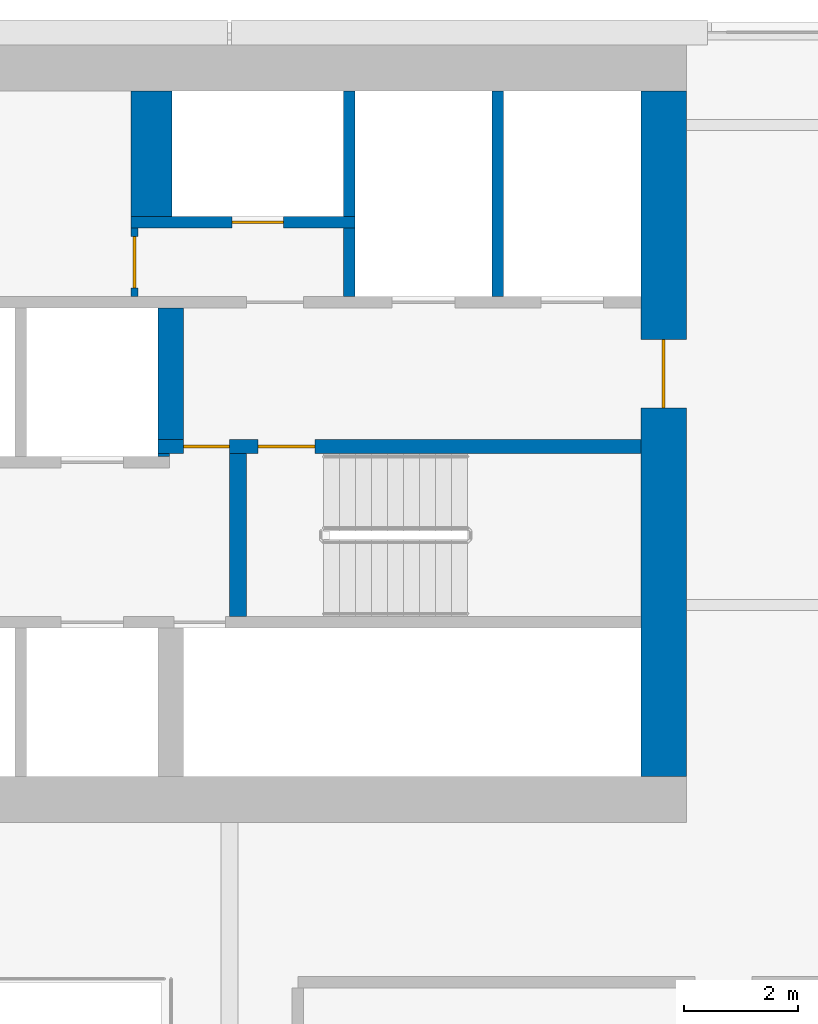
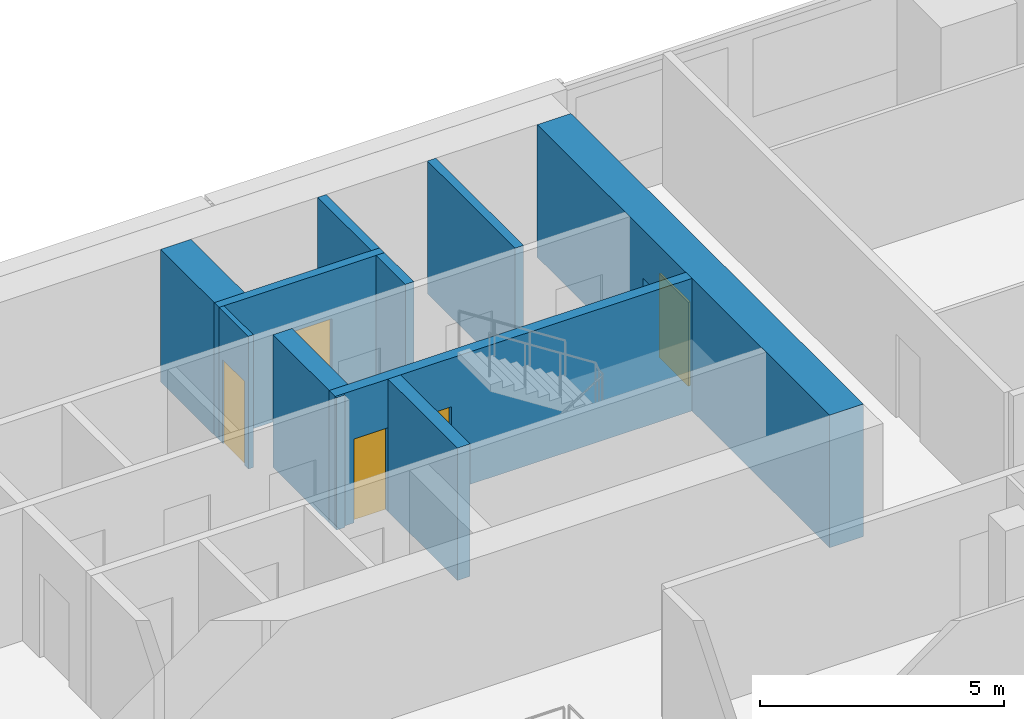
# One storey, part 21 of 29: 11 walls, 5 doors, 5 openings.
"""IFC4 building model written with IfcOpenShell, lengths in metres."""

from ifc_helpers import new_model, si_unit, direction, frame, frame_2d, origin, place, context, subcontext, project, spatial, rectangle, extrude, material, layer, layer_set, type_object, element, fill, save


model = new_model("IFC4")

# Units and contexts
model_context = context("Model", 3, precision=1e-05, world=origin(), true_north=direction((0.0, 1.0)))
body_context = subcontext(model_context, "Body", "Model", "MODEL_VIEW")
ifc_project = project(units=[si_unit("LENGTHUNIT", "METRE"), si_unit("AREAUNIT", "SQUARE_METRE"), si_unit("VOLUMEUNIT", "CUBIC_METRE"), si_unit("PLANEANGLEUNIT", "RADIAN"), si_unit("MASSUNIT", "GRAM", prefix="KILO")], contexts=[model_context])

# Site, building, storey
site_placement = place(None, origin())
site = spatial("IfcSite", under=ifc_project, at=site_placement, CompositionType="ELEMENT")
building_placement = place(site_placement, origin())
building = spatial("IfcBuilding", under=site, at=building_placement, Name="Saffron Gate Tower", CompositionType="ELEMENT")
storey_placement = place(building_placement, frame((0.0, 0.0, 187.050048828125)))
storey = spatial("IfcBuildingStorey", under=building, at=storey_placement, Name="L46", CompositionType="ELEMENT", Elevation=187.050048828125)

# Wall, opening, door
ifc_material_1 = material(Name="Concrete C60", Category="concrete")
ifc_layer_1 = layer(ifc_material_1, 0.800048828125)
ifc_layer_set_1 = layer_set([ifc_layer_1], Name="CW13 RC core wall 800 C60")
wall_type_1 = type_object("IfcWallType", Name="CW13 RC core wall 800 C60", PredefinedType="SOLIDWALL", material=ifc_layer_set_1)
wall_1_placement = place(storey_placement, frame((107.800048828125, 62.39990234375, 0.0), z_axis=(0.0, 0.0, 1.0), x_axis=(0.0, 1.0, 0.0)))
wall_1 = element("IfcWall", 1, at=wall_1_placement, inside=storey, type_object=wall_type_1, Name="Wall CW13-L46-4", PredefinedType="SOLIDWALL", context=body_context, shape_type="SweptSolid", body=[
    extrude(rectangle(XDim=12.0, YDim=0.800048828125, at=frame_2d((6.0, 0.0))), origin(), (0.0, 0.0, 1.0), 3.320068359375),
])
opening_1_placement = place(wall_1_placement, frame((6.449951171875, 0.0, 0.0)))
opening_1 = element("IfcOpeningElement", 2, at=opening_1_placement, cuts=wall_1, Name="Opening CR-08", PredefinedType="OPENING", context=body_context, shape_type="SweptSolid", body=[
    extrude(rectangle(XDim=1.199951171875, YDim=2.10009765625, at=frame_2d((0.60009765625, 1.050048828125))), frame((0.0, 0.41015625, 0.0), z_axis=(0.0, -1.0, 0.0), x_axis=(1.0, 0.0, 0.0)), (0.0, 0.0, 1.0), 0.820068359375),
])
ifc_material_2 = material(Name="Steel fire door set", Category="steel")
door_type_1 = type_object("IfcDoorType", Name="CD7 Core entrance door 1200x2100 EI 120", OperationType="NOTDEFINED", PredefinedType="DOOR", material=ifc_material_2)
door_1_placement = place(opening_1_placement, origin())
door_1 = element("IfcDoor", 3, at=door_1_placement, inside=storey, type_object=door_type_1, Name="DOOR CR-08", OperationType="SINGLE_SWING_RIGHT", OverallHeight=2.10009765625, OverallWidth=1.199951171875, PredefinedType="DOOR", context=body_context, shape_type="SweptSolid", body=[
    extrude(rectangle(XDim=1.199951171875, YDim=2.10009765625, at=frame_2d((0.60009765625, 1.050048828125))), frame((0.0, 0.02490234375, 0.0), z_axis=(0.0, -1.0, 0.0), x_axis=(1.0, 0.0, 0.0)), (0.0, 0.0, 1.0), 0.050048828125),
])
fill(opening_1, door_1)

# Wall, openings, doors
ifc_layer_2 = layer(ifc_material_1, 0.25)
ifc_layer_set_2 = layer_set([ifc_layer_2], Name="CW14 RC core wall 250 C60")
wall_type_2 = type_object("IfcWallType", Name="CW14 RC core wall 250 C60", PredefinedType="SOLIDWALL", material=ifc_layer_set_2)
wall_2_placement = place(storey_placement, frame((98.949951171875, 68.175048828125, 0.0), z_axis=(0.0, 0.0, 1.0), x_axis=(1.0, 0.0, 0.0)))
wall_2 = element("IfcWall", 4, at=wall_2_placement, inside=storey, type_object=wall_type_2, Name="Wall CW14-L46-30", PredefinedType="SOLIDWALL", context=body_context, shape_type="SweptSolid", body=[
    extrude(rectangle(XDim=8.449951171875, YDim=0.25, at=frame_2d((4.22509765625, 0.0))), origin(), (0.0, 0.0, 1.0), 3.320068359375),
])
opening_2_placement = place(wall_2_placement, frame((0.449951171875, 0.0, 0.0)))
opening_2 = element("IfcOpeningElement", 5, at=opening_2_placement, cuts=wall_2, Name="Opening CR-05", PredefinedType="OPENING", context=body_context, shape_type="SweptSolid", body=[
    extrude(rectangle(XDim=0.800048828125, YDim=2.10009765625, at=frame_2d((0.39990234375, 1.050048828125))), frame((0.0, 0.135009765625, 0.0), z_axis=(0.0, -1.0, 0.0), x_axis=(1.0, 0.0, 0.0)), (0.0, 0.0, 1.0), 0.27001953125),
])
opening_3_placement = place(wall_2_placement, frame((1.75, 0.0, 0.0)))
opening_3 = element("IfcOpeningElement", 6, at=opening_3_placement, cuts=wall_2, Name="Opening CR-16", PredefinedType="OPENING", context=body_context, shape_type="SweptSolid", body=[
    extrude(rectangle(XDim=1.0, YDim=2.10009765625, at=frame_2d((0.5, 1.050048828125))), frame((0.0, 0.135009765625, 0.0), z_axis=(0.0, -1.0, 0.0), x_axis=(1.0, 0.0, 0.0)), (0.0, 0.0, 1.0), 0.27001953125),
])
door_type_2 = type_object("IfcDoorType", Name="CD5 Stair door 1000x2100 EI 120", OperationType="NOTDEFINED", PredefinedType="DOOR", material=ifc_material_2)
door_2_placement = place(opening_3_placement, origin())
door_2 = element("IfcDoor", 7, at=door_2_placement, inside=storey, type_object=door_type_2, Name="DOOR CR-16", OperationType="SINGLE_SWING_RIGHT", OverallHeight=2.10009765625, OverallWidth=1.0, PredefinedType="DOOR", context=body_context, shape_type="SweptSolid", body=[
    extrude(rectangle(XDim=1.0, YDim=2.10009765625, at=frame_2d((0.5, 1.050048828125))), frame((0.0, 0.02490234375, 0.0), z_axis=(0.0, -1.0, 0.0), x_axis=(1.0, 0.0, 0.0)), (0.0, 0.0, 1.0), 0.050048828125),
])
fill(opening_3, door_2)
door_type_3 = type_object("IfcDoorType", Name="CD6 Lobby door 800x2100 EI 120", OperationType="NOTDEFINED", PredefinedType="DOOR", material=ifc_material_2)
door_3_placement = place(opening_2_placement, origin())
door_3 = element("IfcDoor", 8, at=door_3_placement, inside=storey, type_object=door_type_3, Name="DOOR CR-05", OperationType="SINGLE_SWING_LEFT", OverallHeight=2.10009765625, OverallWidth=0.800048828125, PredefinedType="DOOR", context=body_context, shape_type="SweptSolid", body=[
    extrude(rectangle(XDim=0.800048828125, YDim=2.10009765625, at=frame_2d((0.39990234375, 1.050048828125))), frame((0.0, 0.02490234375, 0.0), z_axis=(0.0, -1.0, 0.0), x_axis=(1.0, 0.0, 0.0)), (0.0, 0.0, 1.0), 0.050048828125),
])
fill(opening_2, door_3)

# Walls
ifc_layer_3 = layer(ifc_material_1, 0.199951171875)
ifc_layer_set_3 = layer_set([ifc_layer_3], Name="CW15 RC core wall 200 C60")
wall_type_3 = type_object("IfcWallType", Name="CW15 RC core wall 200 C60", PredefinedType="SOLIDWALL", material=ifc_layer_set_3)
wall_3_placement = place(storey_placement, frame((102.300048828125, 70.800048828125, 0.0), z_axis=(0.0, 0.0, 1.0), x_axis=(0.0, 1.0, 0.0)))
element("IfcWall", 9, at=wall_3_placement, inside=storey, type_object=wall_type_3, Name="Wall CW15-L46-40", PredefinedType="SOLIDWALL", context=body_context, shape_type="SweptSolid", body=[
    extrude(rectangle(XDim=1.199951171875, YDim=0.199951171875, at=frame_2d((0.60009765625, 0.0))), origin(), (0.0, 0.0, 1.0), 3.320068359375),
])
wall_4_placement = place(storey_placement, frame((104.89990234375, 70.800048828125, 0.0), z_axis=(0.0, 0.0, 1.0), x_axis=(0.0, 1.0, 0.0)))
element("IfcWall", 10, at=wall_4_placement, inside=storey, type_object=wall_type_3, Name="Wall CW15-L46-41", PredefinedType="SOLIDWALL", context=body_context, shape_type="SweptSolid", body=[
    extrude(rectangle(XDim=3.599853515625, YDim=0.199951171875, at=frame_2d((1.7998046875, 0.0))), origin(), (0.0, 0.0, 1.0), 3.320068359375),
])

# Wall, opening, door
wall_5_placement = place(storey_placement, frame((98.47998046875, 72.10009765625, 0.0), z_axis=(0.0, 0.0, 1.0), x_axis=(1.0, 0.0, 0.0)))
wall_5 = element("IfcWall", 11, at=wall_5_placement, inside=storey, type_object=wall_type_3, Name="Wall CW15-L46-43", PredefinedType="SOLIDWALL", context=body_context, shape_type="SweptSolid", body=[
    extrude(rectangle(XDim=3.919921875, YDim=0.199951171875, at=frame_2d((1.9599609375, 0.0))), origin(), (0.0, 0.0, 1.0), 3.320068359375),
])
opening_4_placement = place(wall_5_placement, frame((1.77001953125, 0.0, 0.0)))
opening_4 = element("IfcOpeningElement", 12, at=opening_4_placement, cuts=wall_5, Name="Opening CR-70", PredefinedType="OPENING", context=body_context, shape_type="SweptSolid", body=[
    extrude(rectangle(XDim=0.89990234375, YDim=2.10009765625, at=frame_2d((0.449951171875, 1.050048828125))), frame((0.0, 0.10986328125, 0.0), z_axis=(0.0, -1.0, 0.0), x_axis=(1.0, 0.0, 0.0)), (0.0, 0.0, 1.0), 0.219970703125),
])
door_type_4 = type_object("IfcDoorType", Name="CD2 Riser door 900x2100 EI 60", OperationType="NOTDEFINED", PredefinedType="DOOR", material=ifc_material_2)
door_4_placement = place(opening_4_placement, origin())
door_4 = element("IfcDoor", 13, at=door_4_placement, inside=storey, type_object=door_type_4, Name="DOOR CR-70", OperationType="SINGLE_SWING_LEFT", OverallHeight=2.10009765625, OverallWidth=0.89990234375, PredefinedType="DOOR", context=body_context, shape_type="SweptSolid", body=[
    extrude(rectangle(XDim=0.89990234375, YDim=2.10009765625, at=frame_2d((0.449951171875, 1.050048828125))), frame((0.0, 0.02490234375, 0.0), z_axis=(0.0, -1.0, 0.0), x_axis=(1.0, 0.0, 0.0)), (0.0, 0.0, 1.0), 0.050048828125),
])
fill(opening_4, door_4)

# Walls
wall_6_placement = place(storey_placement, frame((102.300048828125, 72.199951171875, 0.0), z_axis=(0.0, 0.0, 1.0), x_axis=(0.0, 1.0, 0.0)))
element("IfcWall", 14, at=wall_6_placement, inside=storey, type_object=wall_type_3, Name="Wall CW15-L46-48", PredefinedType="SOLIDWALL", context=body_context, shape_type="SweptSolid", body=[
    extrude(rectangle(XDim=2.199951171875, YDim=0.199951171875, at=frame_2d((1.10009765625, 0.0))), origin(), (0.0, 0.0, 1.0), 3.320068359375),
])
ifc_layer_4 = layer(ifc_material_1, 0.449951171875)
ifc_layer_set_4 = layer_set([ifc_layer_4], Name="CW16 RC core wall 450 C60")
wall_type_4 = type_object("IfcWallType", Name="CW16 RC core wall 450 C60", PredefinedType="SOLIDWALL", material=ifc_layer_set_4)
wall_7_placement = place(storey_placement, frame((99.175048828125, 68.300048828125, 0.0), z_axis=(0.0, 0.0, 1.0), x_axis=(0.0, 1.0, 0.0)))
element("IfcWall", 15, at=wall_7_placement, inside=storey, type_object=wall_type_4, Name="Wall CW16-L46-32", PredefinedType="SOLIDWALL", context=body_context, shape_type="SweptSolid", body=[
    extrude(rectangle(XDim=2.300048828125, YDim=0.449951171875, at=frame_2d((1.14990234375, 0.0))), origin(), (0.0, 0.0, 1.0), 3.320068359375),
])
ifc_layer_5 = layer(ifc_material_1, 0.300048828125)
ifc_layer_set_5 = layer_set([ifc_layer_5], Name="CW17 RC core wall 300 C60")
wall_type_5 = type_object("IfcWallType", Name="CW17 RC core wall 300 C60", PredefinedType="SOLIDWALL", material=ifc_layer_set_5)
wall_8_placement = place(storey_placement, frame((100.35009765625, 65.199951171875, 0.0), z_axis=(0.0, 0.0, 1.0), x_axis=(0.0, 1.0, 0.0)))
element("IfcWall", 16, at=wall_8_placement, inside=storey, type_object=wall_type_5, Name="Wall CW17-L46-18", PredefinedType="SOLIDWALL", context=body_context, shape_type="SweptSolid", body=[
    extrude(rectangle(XDim=2.85009765625, YDim=0.300048828125, at=frame_2d((1.425048828125, 0.0))), origin(), (0.0, 0.0, 1.0), 3.320068359375),
])
ifc_layer_6 = layer(ifc_material_1, 0.050048828125)
ifc_layer_set_6 = layer_set([ifc_layer_6], Name="CW18 RC core wall 50 C60")
wall_type_6 = type_object("IfcWallType", Name="CW18 RC core wall 50 C60", PredefinedType="SOLIDWALL", material=ifc_layer_set_6)
wall_9_placement = place(storey_placement, frame((98.949951171875, 68.02490234375, 0.0), z_axis=(0.0, 0.0, 1.0), x_axis=(1.0, 0.0, 0.0)))
element("IfcWall", 17, at=wall_9_placement, inside=storey, type_object=wall_type_6, Name="Wall CW18-L46-28", PredefinedType="SOLIDWALL", context=body_context, shape_type="SweptSolid", body=[
    extrude(rectangle(XDim=0.199951171875, YDim=0.050048828125, at=frame_2d((0.10009765625, 0.0))), origin(), (0.0, 0.0, 1.0), 3.320068359375),
])
ifc_layer_7 = layer(ifc_material_1, 0.719970703125)
ifc_layer_set_7 = layer_set([ifc_layer_7], Name="CW21 RC core wall 720 C60")
wall_type_7 = type_object("IfcWallType", Name="CW21 RC core wall 720 C60", PredefinedType="SOLIDWALL", material=ifc_layer_set_7)
wall_10_placement = place(storey_placement, frame((98.840087890625, 72.199951171875, 0.0), z_axis=(0.0, 0.0, 1.0), x_axis=(0.0, 1.0, 0.0)))
element("IfcWall", 18, at=wall_10_placement, inside=storey, type_object=wall_type_7, Name="Wall CW21-L46-47", PredefinedType="SOLIDWALL", context=body_context, shape_type="SweptSolid", body=[
    extrude(rectangle(XDim=2.199951171875, YDim=0.719970703125, at=frame_2d((1.10009765625, 0.0))), origin(), (0.0, 0.0, 1.0), 3.320068359375),
])

# Wall, opening, door
ifc_material_3 = material(Name="Gypsum board partition on steel studs", Category="steel")
ifc_layer_8 = layer(ifc_material_3, 0.1201171875)
ifc_layer_set_8 = layer_set([ifc_layer_8], Name="CW8 Core partition 120")
wall_type_8 = type_object("IfcWallType", Name="CW8 Core partition 120", PredefinedType="PARTITIONING", material=ifc_layer_set_8)
wall_11_placement = place(storey_placement, frame((98.5400390625, 70.800048828125, 0.0), z_axis=(0.0, 0.0, 1.0), x_axis=(0.0, 1.0, 0.0)))
wall_11 = element("IfcWall", 19, at=wall_11_placement, inside=storey, type_object=wall_type_8, Name="Wall CW8-L46-39", PredefinedType="PARTITIONING", context=body_context, shape_type="SweptSolid", body=[
    extrude(rectangle(XDim=1.199951171875, YDim=0.1201171875, at=frame_2d((0.60009765625, 0.0))), origin(), (0.0, 0.0, 1.0), 3.320068359375),
])
opening_5_placement = place(wall_11_placement, frame((0.14990234375, 0.0, 0.0)))
opening_5 = element("IfcOpeningElement", 20, at=opening_5_placement, cuts=wall_11, Name="Opening CR-54", PredefinedType="OPENING", context=body_context, shape_type="SweptSolid", body=[
    extrude(rectangle(XDim=0.89990234375, YDim=2.10009765625, at=frame_2d((0.449951171875, 1.050048828125))), frame((0.0, 0.070068359375, 0.0), z_axis=(0.0, -1.0, 0.0), x_axis=(1.0, 0.0, 0.0)), (0.0, 0.0, 1.0), 0.14013671875),
])
door_type_5 = type_object("IfcDoorType", Name="CD9 Room door 900x2100 EI 60", OperationType="NOTDEFINED", PredefinedType="DOOR", material=ifc_material_2)
door_5_placement = place(opening_5_placement, origin())
door_5 = element("IfcDoor", 21, at=door_5_placement, inside=storey, type_object=door_type_5, Name="DOOR CR-54", OperationType="SINGLE_SWING_LEFT", OverallHeight=2.10009765625, OverallWidth=0.89990234375, PredefinedType="DOOR", context=body_context, shape_type="SweptSolid", body=[
    extrude(rectangle(XDim=0.89990234375, YDim=2.10009765625, at=frame_2d((0.449951171875, 1.050048828125))), frame((0.0, 0.02490234375, 0.0), z_axis=(0.0, -1.0, 0.0), x_axis=(1.0, 0.0, 0.0)), (0.0, 0.0, 1.0), 0.050048828125),
])
fill(opening_5, door_5)

save(model, "model.ifc")
